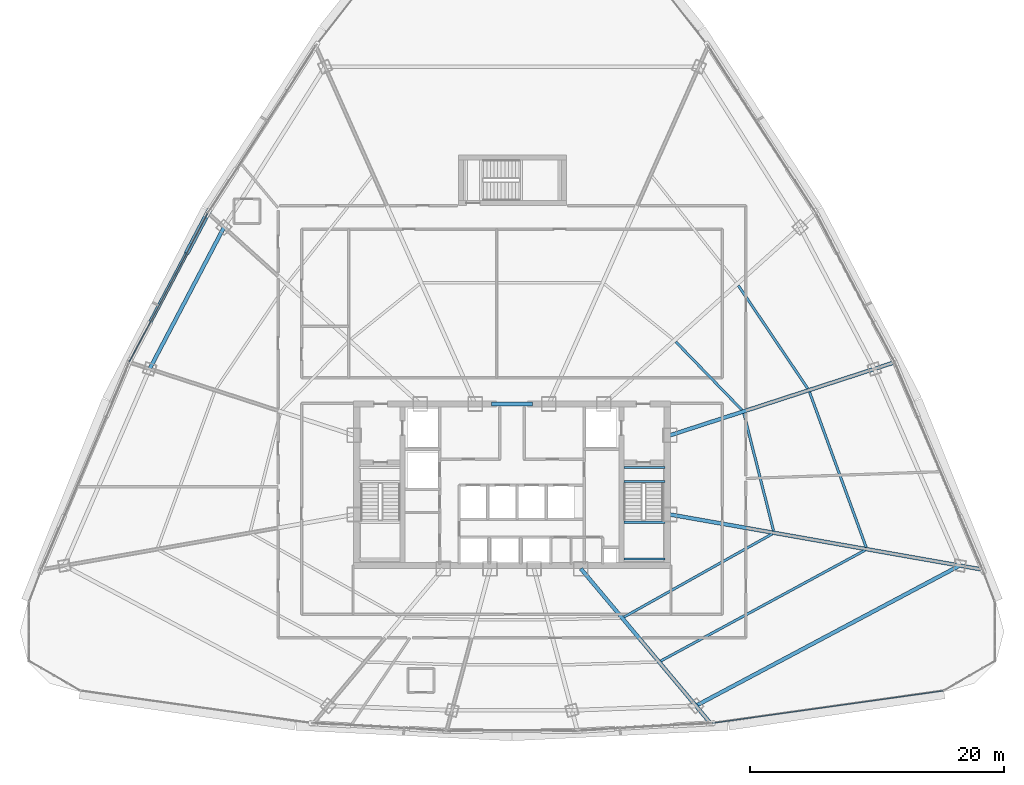
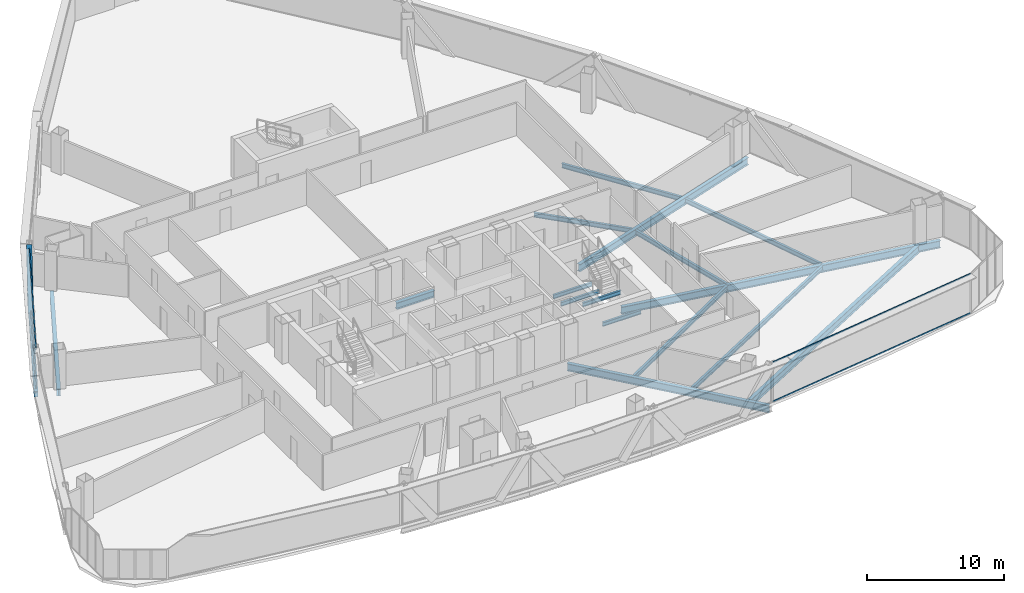
# One storey, part 15 of 38: 17 beams, 5 members, 2 elements without a shape of their own.
"""IFC4 building model written with IfcOpenShell, lengths in metres."""

from ifc_helpers import new_model, si_unit, direction, frame, origin, origin_2d, place, context, subcontext, project, spatial, hollow_rectangle, i_section, extrude, source, transform, mapped, material, layer, layer_set, material_profile, profile_set, type_object, element, aggregate, save


model = new_model("IFC4")

# Units and contexts
model_context = context("Model", 3, precision=1e-05, world=origin(), true_north=direction((0.0, 1.0)))
body_context = subcontext(model_context, "Body", "Model", "MODEL_VIEW")
ifc_project = project(units=[si_unit("LENGTHUNIT", "METRE"), si_unit("AREAUNIT", "SQUARE_METRE"), si_unit("VOLUMEUNIT", "CUBIC_METRE"), si_unit("PLANEANGLEUNIT", "RADIAN"), si_unit("MASSUNIT", "GRAM", prefix="KILO"), si_unit("THERMODYNAMICTEMPERATUREUNIT", "KELVIN"), si_unit("POWERUNIT", "WATT")], contexts=[model_context])

# Site, building, storey
site_placement = place(None, origin())
site = spatial("IfcSite", under=ifc_project, at=site_placement, CompositionType="ELEMENT")
building_placement = place(site_placement, origin())
building = spatial("IfcBuilding", under=site, at=building_placement, Name="Yunzhuo Pagoda Commons", CompositionType="ELEMENT")
storey_placement = place(building_placement, frame((0.0, 0.0, 203.760009765625)))
storey = spatial("IfcBuildingStorey", under=building, at=storey_placement, Name="L51", CompositionType="ELEMENT", Elevation=203.760009765625)

# Beams
ifc_material_1 = material(Name="Structural steel Q355B", Category="steel")
ifc_material_profile_1 = material_profile(ifc_material_1, i_section(OverallWidth=0.175048828125, OverallDepth=0.35009765625, WebThickness=0.007080078125, FlangeThickness=0.010986328125, at=origin_2d()), Name="Structural steel Q355B")
ifc_profile_set_1 = profile_set([ifc_material_profile_1], Name="Structural steel Q355B")
beam_type_1 = type_object("IfcBeamType", Name="B-JS2 Joist HN 350x175x7x11", PredefinedType="JOIST", material=ifc_profile_set_1)
shared_shape_1 = source(origin(), body_context, "Body", "SweptSolid", [
    extrude(i_section(OverallWidth=0.175048828125, OverallDepth=0.35009765625, WebThickness=0.007080078125, FlangeThickness=0.010986328125, at=origin_2d()), origin(), (0.0, 0.0, 1.0), 3.25),
])
for number, where, z_axis, x_axis, name in (
    (1, (56.800048828125, 28.0, 1.52490234375), (1.0, 0.0, 0.0), (0.0, 1.0, 0.0), "L51 ST2 landing support beam 57A"),
    (2, (56.800048828125, 30.89990234375, 1.52490234375), (1.0, 0.0, 0.0), (0.0, 1.0, 0.0), "L51 ST2 landing support beam 57B"),
    (3, (56.800048828125, 34.10009765625, -0.375), (1.0, 0.0, 0.0), (0.0, 1.0, 0.0), "L51 ST2 landing support beam 155A"),
    (4, (56.800048828125, 35.199951171875, -0.375), (1.0, 0.0, 0.0), (0.0, 1.0, 0.0), "L51 ST2 landing support beam 155B"),
):
    element("IfcBeam", number, at=place(storey_placement, frame(where, z_axis=z_axis, x_axis=x_axis)), inside=storey, type_object=beam_type_1, Name=name, PredefinedType="JOIST", context=body_context, shape_type="MappedRepresentation", body=[
        mapped(shared_shape_1, transform((0.0, 0.0, 0.0), scale=1.0)),
    ])
ifc_material_2 = material(Name="Structural steel Q420B", Category="steel")
ifc_material_profile_2 = material_profile(ifc_material_2, i_section(OverallWidth=0.300048828125, OverallDepth=0.587890625, WebThickness=0.011962890625, FlangeThickness=0.02001953125, at=origin_2d()), Name="Structural steel Q420B")
ifc_profile_set_2 = profile_set([ifc_material_profile_2], Name="Structural steel Q420B")
beam_type_2 = type_object("IfcBeamType", Name="B-CPL Beam HM 588x300x12x20", PredefinedType="BEAM", material=ifc_profile_set_2)
shared_shape_2 = source(origin(), body_context, "Body", "SweptSolid", [
    extrude(i_section(OverallWidth=0.300048828125, OverallDepth=0.587890625, WebThickness=0.011962890625, FlangeThickness=0.02001953125, at=origin_2d()), origin(), (0.0, 0.0, 1.0), 3.2001953125),
])
beam_1_placement = place(storey_placement, frame((46.39990234375, 40.199951171875, -0.553955078125), z_axis=(1.0, 0.0, 0.0), x_axis=(0.0, 1.0, 0.0)))
element("IfcBeam", 5, at=beam_1_placement, inside=storey, type_object=beam_type_2, Name="L51 core coupling girder", PredefinedType="BEAM", context=body_context, shape_type="MappedRepresentation", body=[
    mapped(shared_shape_2, transform((0.0, 0.0, 0.0), scale=1.0)),
])
ifc_material_profile_3 = material_profile(ifc_material_1, i_section(OverallWidth=0.300048828125, OverallDepth=0.64990234375, WebThickness=0.012939453125, FlangeThickness=0.02197265625, at=origin_2d()), Name="Structural steel Q355B")
ifc_profile_set_3 = profile_set([ifc_material_profile_3], Name="Structural steel Q355B")
beam_type_3 = type_object("IfcBeamType", Name="B-RG2 Beam HN 650x300x13x22", PredefinedType="BEAM", material=ifc_profile_set_3)
shared_shape_3 = source(origin(), body_context, "Body", "SweptSolid", [
    extrude(i_section(OverallWidth=0.300048828125, OverallDepth=0.64990234375, WebThickness=0.012939453125, FlangeThickness=0.02197265625, at=origin_2d()), origin(), (0.0, 0.0, 1.0), 23.49365234375),
])
beam_2_placement = place(storey_placement, frame((62.461181640625, 16.4658203125, -0.5849609375), z_axis=(0.883016269865, 0.469342377325, 0.0), x_axis=(-0.469342377325, 0.883016269865, 0.0)))
element("IfcBeam", 6, at=beam_2_placement, inside=storey, type_object=beam_type_3, Name="L51 column-ring beam 4", PredefinedType="BEAM", context=body_context, shape_type="MappedRepresentation", body=[
    mapped(shared_shape_3, transform((0.0, 0.0, 0.0), scale=1.0)),
])
shared_shape_4 = source(origin(), body_context, "Body", "SweptSolid", [
    extrude(i_section(OverallWidth=0.300048828125, OverallDepth=0.64990234375, WebThickness=0.012939453125, FlangeThickness=0.02197265625, at=origin_2d()), origin(), (0.0, 0.0, 1.0), 12.576416015625),
])
beam_3_placement = place(storey_placement, frame((25.349365234375, 54.0947265625, -0.5849609375), z_axis=(-0.464676385233, -0.885480579689, 0.0), x_axis=(0.885480579689, -0.464676385233, 0.0)))
element("IfcBeam", 7, at=beam_3_placement, inside=storey, type_object=beam_type_3, Name="L51 column-ring beam 10", PredefinedType="BEAM", context=body_context, shape_type="MappedRepresentation", body=[
    mapped(shared_shape_4, transform((0.0, 0.0, 0.0), scale=1.0)),
])
ifc_material_profile_4 = material_profile(ifc_material_1, i_section(OverallWidth=0.199951171875, OverallDepth=0.39990234375, WebThickness=0.008056640625, FlangeThickness=0.012939453125, at=origin_2d()), Name="Structural steel Q355B")
ifc_profile_set_4 = profile_set([ifc_material_profile_4], Name="Structural steel Q355B")
beam_type_4 = type_object("IfcBeamType", Name="B-JS1 Joist HN 400x200x8x13", PredefinedType="JOIST", material=ifc_profile_set_4)
shared_shape_5 = source(origin(), body_context, "Body", "SweptSolid", [
    extrude(i_section(OverallWidth=0.199951171875, OverallDepth=0.39990234375, WebThickness=0.008056640625, FlangeThickness=0.012939453125, at=origin_2d()), origin(), (0.0, 0.0, 1.0), 13.372802734375),
])
beam_4_placement = place(storey_placement, frame((56.80859375, 23.445556640625, -0.4599609375), z_axis=(0.872150261016, 0.4892381038, 0.0), x_axis=(-0.4892381038, 0.872150261016, 0.0)))
element("IfcBeam", 8, at=beam_4_placement, inside=storey, type_object=beam_type_4, Name="L51 composite ring joist 1.4", PredefinedType="JOIST", context=body_context, shape_type="MappedRepresentation", body=[
    mapped(shared_shape_5, transform((0.0, 0.0, 0.0), scale=1.0)),
])
shared_shape_6 = source(origin(), body_context, "Body", "SweptSolid", [
    extrude(i_section(OverallWidth=0.199951171875, OverallDepth=0.39990234375, WebThickness=0.008056640625, FlangeThickness=0.012939453125, at=origin_2d()), origin(), (0.0, 0.0, 1.0), 18.27294921875),
])
beam_5_placement = place(storey_placement, frame((59.705322265625, 19.992431640625, -0.4599609375), z_axis=(0.879067821824, 0.476696721861, 0.0), x_axis=(-0.476696721861, 0.879067821824, 0.0)))
element("IfcBeam", 9, at=beam_5_placement, inside=storey, type_object=beam_type_4, Name="L51 composite ring joist 2.4", PredefinedType="JOIST", context=body_context, shape_type="MappedRepresentation", body=[
    mapped(shared_shape_6, transform((0.0, 0.0, 0.0), scale=1.0)),
])
shared_shape_7 = source(origin(), body_context, "Body", "SweptSolid", [
    extrude(i_section(OverallWidth=0.199951171875, OverallDepth=0.39990234375, WebThickness=0.008056640625, FlangeThickness=0.012939453125, at=origin_2d()), origin(), (0.0, 0.0, 1.0), 9.529052734375),
])
beam_6_placement = place(storey_placement, frame((68.5712890625, 30.219970703125, -0.4599609375), z_axis=(-0.245367921097, 0.969430030119, 0.0), x_axis=(-0.969430030119, -0.245367921097, 0.0)))
element("IfcBeam", 10, at=beam_6_placement, inside=storey, type_object=beam_type_4, Name="L51 composite ring joist 1.5", PredefinedType="JOIST", context=body_context, shape_type="MappedRepresentation", body=[
    mapped(shared_shape_7, transform((0.0, 0.0, 0.0), scale=1.0)),
])
shared_shape_8 = source(origin(), body_context, "Body", "SweptSolid", [
    extrude(i_section(OverallWidth=0.199951171875, OverallDepth=0.39990234375, WebThickness=0.008056640625, FlangeThickness=0.012939453125, at=origin_2d()), origin(), (0.0, 0.0, 1.0), 12.994873046875),
])
beam_7_placement = place(storey_placement, frame((75.85400390625, 28.928466796875, -0.4599609375), z_axis=(-0.342834977914, 0.939395645039, 0.0), x_axis=(-0.939395645039, -0.342834977914, 0.0)))
element("IfcBeam", 11, at=beam_7_placement, inside=storey, type_object=beam_type_4, Name="L51 composite ring joist 2.5", PredefinedType="JOIST", context=body_context, shape_type="MappedRepresentation", body=[
    mapped(shared_shape_8, transform((0.0, 0.0, 0.0), scale=1.0)),
])
shared_shape_9 = source(origin(), body_context, "Body", "SweptSolid", [
    extrude(i_section(OverallWidth=0.199951171875, OverallDepth=0.39990234375, WebThickness=0.008056640625, FlangeThickness=0.012939453125, at=origin_2d()), origin(), (0.0, 0.0, 1.0), 7.46826171875),
])
beam_8_placement = place(storey_placement, frame((66.08349609375, 39.725830078125, -0.4599609375), z_axis=(-0.696070782679, 0.717973164889, 0.0), x_axis=(-0.717973164889, -0.696070782679, 0.0)))
element("IfcBeam", 12, at=beam_8_placement, inside=storey, type_object=beam_type_4, Name="L51 composite ring joist 1.6", PredefinedType="JOIST", context=body_context, shape_type="MappedRepresentation", body=[
    mapped(shared_shape_9, transform((0.0, 0.0, 0.0), scale=1.0)),
])
shared_shape_10 = source(origin(), body_context, "Body", "SweptSolid", [
    extrude(i_section(OverallWidth=0.199951171875, OverallDepth=0.39990234375, WebThickness=0.008056640625, FlangeThickness=0.012939453125, at=origin_2d()), origin(), (0.0, 0.0, 1.0), 9.764892578125),
])
beam_9_placement = place(storey_placement, frame((71.255615234375, 41.4169921875, -0.4599609375), z_axis=(-0.558548425455, 0.829471914185, 0.0), x_axis=(-0.829471914185, -0.558548425455, 0.0)))
element("IfcBeam", 13, at=beam_9_placement, inside=storey, type_object=beam_type_4, Name="L51 composite ring joist 2.6", PredefinedType="JOIST", context=body_context, shape_type="MappedRepresentation", body=[
    mapped(shared_shape_10, transform((0.0, 0.0, 0.0), scale=1.0)),
])
shared_shape_11 = source(origin(), body_context, "Body", "SweptSolid", [
    extrude(i_section(OverallWidth=0.300048828125, OverallDepth=0.64990234375, WebThickness=0.012939453125, FlangeThickness=0.02197265625, at=origin_2d()), origin(), (0.0, 0.0, 1.0), 15.728515625),
])
beam_10_placement = place(storey_placement, frame((63.522216796875, 15.201416015625, -0.5849609375), z_axis=(-0.642793021252, 0.766039902244, 0.0), x_axis=(-0.766039902244, -0.642793021252, 0.0)))
element("IfcBeam", 14, at=beam_10_placement, inside=storey, type_object=beam_type_3, Name="L51 radial floor girder F1C4", PredefinedType="BEAM", context=body_context, shape_type="MappedRepresentation", body=[
    mapped(shared_shape_11, transform((0.0, 0.0, 0.0), scale=1.0)),
])
shared_shape_12 = source(origin(), body_context, "Body", "SweptSolid", [
    extrude(i_section(OverallWidth=0.300048828125, OverallDepth=0.64990234375, WebThickness=0.012939453125, FlangeThickness=0.02197265625, at=origin_2d()), origin(), (0.0, 0.0, 1.0), 24.83935546875),
])
beam_11_placement = place(storey_placement, frame((84.86181640625, 27.2001953125, -0.5849609375), z_axis=(-0.98480818693, 0.17364571678, 0.0), x_axis=(-0.17364571678, -0.98480818693, 0.0)))
element("IfcBeam", 15, at=beam_11_placement, inside=storey, type_object=beam_type_3, Name="L51 radial floor girder F2C1", PredefinedType="BEAM", context=body_context, shape_type="MappedRepresentation", body=[
    mapped(shared_shape_12, transform((0.0, 0.0, 0.0), scale=1.0)),
])
shared_shape_13 = source(origin(), body_context, "Body", "SweptSolid", [
    extrude(i_section(OverallWidth=0.300048828125, OverallDepth=0.64990234375, WebThickness=0.012939453125, FlangeThickness=0.02197265625, at=origin_2d()), origin(), (0.0, 0.0, 1.0), 18.463623046875),
])
beam_12_placement = place(storey_placement, frame((77.9599609375, 43.4345703125, -0.5849609375), z_axis=(-0.951057192744, -0.309014912472, 0.0), x_axis=(0.309014912472, -0.951057192744, 0.0)))
element("IfcBeam", 16, at=beam_12_placement, inside=storey, type_object=beam_type_3, Name="L51 radial floor girder F2C2", PredefinedType="BEAM", context=body_context, shape_type="MappedRepresentation", body=[
    mapped(shared_shape_13, transform((0.0, 0.0, 0.0), scale=1.0)),
])
ifc_material_profile_5 = material_profile(ifc_material_1, i_section(OverallWidth=0.300048828125, OverallDepth=0.488037109375, WebThickness=0.010986328125, FlangeThickness=0.01806640625, at=origin_2d()), Name="Structural steel Q355B")
ifc_profile_set_5 = profile_set([ifc_material_profile_5], Name="Structural steel Q355B")
beam_type_5 = type_object("IfcBeamType", Name="B-SP1 Beam HM 488x300x11x18", PredefinedType="BEAM", material=ifc_profile_set_5)
shared_shape_14 = source(origin(), body_context, "Body", "SweptSolid", [
    extrude(i_section(OverallWidth=0.300048828125, OverallDepth=0.488037109375, WebThickness=0.010986328125, FlangeThickness=0.01806640625, at=origin_2d()), origin(), (0.0, 0.0, 1.0), 13.281982421875),
])
beam_13_placement = place(storey_placement, frame((24.0869140625, 55.2314453125, -0.503662109375), z_axis=(-0.466373597009, -0.88458785206, 0.0), x_axis=(0.88458785206, -0.466373597009, 0.0)))
element("IfcBeam", 17, at=beam_13_placement, inside=storey, type_object=beam_type_5, Name="L51 facade edge spandrel beam F3.2", PredefinedType="BEAM", context=body_context, shape_type="MappedRepresentation", body=[
    mapped(shared_shape_14, transform((0.0, 0.0, 0.0), scale=1.0)),
])

# Member
ifc_material_profile_6 = material_profile(ifc_material_1, hollow_rectangle(XDim=0.39990234375, YDim=0.719970703125, WallThickness=0.02392578125, at=origin_2d()), Name="Structural steel Q355B")
ifc_profile_set_6 = profile_set([ifc_material_profile_6], Name="Structural steel Q355B")
member_type_1 = type_object("IfcMemberType", Name="M-DL2 Brace BOX 720x400x24", PredefinedType="BRACE", material=ifc_profile_set_6)
shared_shape_15 = source(origin(), body_context, "Body", "SweptSolid", [
    extrude(hollow_rectangle(XDim=0.39990234375, YDim=0.719970703125, WallThickness=0.02392578125, at=origin_2d()), origin(), (0.0, 0.0, 1.0), 5.046142578125),
])
member_1_placement = place(storey_placement, frame((22.538330078125, 52.29443359375, -0.260009765625), z_axis=(0.306878883424, 0.582020016962, 0.753045849045), x_axis=(-0.884571858339, 0.466403931625, 0.0)))
element("IfcMember", 18, at=member_1_placement, inside=storey, type_object=member_type_1, Name="L51 facade diamond brace F3.2L", PredefinedType="BRACE", context=body_context, shape_type="MappedRepresentation", body=[
    mapped(shared_shape_15, transform((0.0, 0.0, 0.0), scale=1.0)),
])

# Curtain wall, members
ifc_material_3 = material(Name="Anodized aluminium 6063-T6", Category="aluminium")
ifc_layer = layer(ifc_material_3, 0.14990234375)
ifc_layer_set = layer_set([ifc_layer], Name="Anodized aluminium 6063-T6")
curtain_wall_type = type_object("IfcCurtainWallType", Name="CW-MID Mid-Zone Ribbon Curtain Wall", PredefinedType="NOTDEFINED", material=ifc_layer_set)
curtain_wall_1_placement = place(storey_placement, origin())
curtain_wall_1 = element("IfcCurtainWall", 19, at=curtain_wall_1_placement, inside=storey, type_object=curtain_wall_type, Name="L51 curtain wall CW-L51-F1B5", PredefinedType="NOTDEFINED")
ifc_material_profile_7 = material_profile(ifc_material_3, hollow_rectangle(XDim=0.054931640625, YDim=0.1298828125, WallThickness=0.00341796875, at=origin_2d()), Name="Anodized aluminium 6063-T6")
ifc_profile_set_7 = profile_set([ifc_material_profile_7], Name="Anodized aluminium 6063-T6")
member_type_2 = type_object("IfcMemberType", Name="CW-MID-T Transom RHS 130x55x3.5", PredefinedType="USERDEFINED", material=ifc_profile_set_7)
shared_shape_16 = source(origin(), body_context, "Body", "SweptSolid", [
    extrude(hollow_rectangle(XDim=0.054931640625, YDim=0.1298828125, WallThickness=0.00341796875, at=origin_2d()), origin(), (0.0, 0.0, 1.0), 18.3125),
])
member_2_placement = place(storey_placement, frame((63.755615234375, 15.101318359375, 0.027587890625), z_axis=(0.990316981447, 0.138824624106, 0.0), x_axis=(-0.138824624106, 0.990316981447, 0.0)))
member_2 = element("IfcMember", 20, at=member_2_placement, type_object=member_type_2, Name="CW transom 1.1", ObjectType="TRANSOM", PredefinedType="USERDEFINED", context=body_context, shape_type="MappedRepresentation", body=[
    mapped(shared_shape_16, transform((0.0, 0.0, 0.0), scale=1.0)),
])
member_3_placement = place(storey_placement, frame((63.755615234375, 15.101318359375, 3.512451171875), z_axis=(0.990316981447, 0.138824624106, 0.0), x_axis=(-0.138824624106, 0.990316981447, 0.0)))
member_3 = element("IfcMember", 21, at=member_3_placement, type_object=member_type_2, Name="CW transom 1.2", ObjectType="TRANSOM", PredefinedType="USERDEFINED", context=body_context, shape_type="MappedRepresentation", body=[
    mapped(shared_shape_16, transform((0.0, 0.0, 0.0), scale=1.0)),
])
aggregate(curtain_wall_1, [member_2, member_3])

curtain_wall_2_placement = place(storey_placement, origin())
curtain_wall_2 = element("IfcCurtainWall", 22, at=curtain_wall_2_placement, inside=storey, type_object=curtain_wall_type, Name="L51 curtain wall CW-L51-F3B3", PredefinedType="NOTDEFINED")
shared_shape_17 = source(origin(), body_context, "Body", "SweptSolid", [
    extrude(hollow_rectangle(XDim=0.054931640625, YDim=0.1298828125, WallThickness=0.00341796875, at=origin_2d()), origin(), (0.0, 0.0, 1.0), 13.16162109375),
])
member_4_placement = place(storey_placement, frame((24.058837890625, 55.178466796875, 0.027587890625), z_axis=(-0.46637168839, -0.884588858322, 0.0), x_axis=(0.884588858322, -0.46637168839, 0.0)))
member_4 = element("IfcMember", 23, at=member_4_placement, type_object=member_type_2, Name="CW transom 1.1", ObjectType="TRANSOM", PredefinedType="USERDEFINED", context=body_context, shape_type="MappedRepresentation", body=[
    mapped(shared_shape_17, transform((0.0, 0.0, 0.0), scale=1.0)),
])
member_5_placement = place(storey_placement, frame((24.058837890625, 55.178466796875, 3.512451171875), z_axis=(-0.46637168839, -0.884588858322, 0.0), x_axis=(0.884588858322, -0.46637168839, 0.0)))
member_5 = element("IfcMember", 24, at=member_5_placement, type_object=member_type_2, Name="CW transom 1.2", ObjectType="TRANSOM", PredefinedType="USERDEFINED", context=body_context, shape_type="MappedRepresentation", body=[
    mapped(shared_shape_17, transform((0.0, 0.0, 0.0), scale=1.0)),
])
aggregate(curtain_wall_2, [member_4, member_5])

save(model, "model.ifc")
